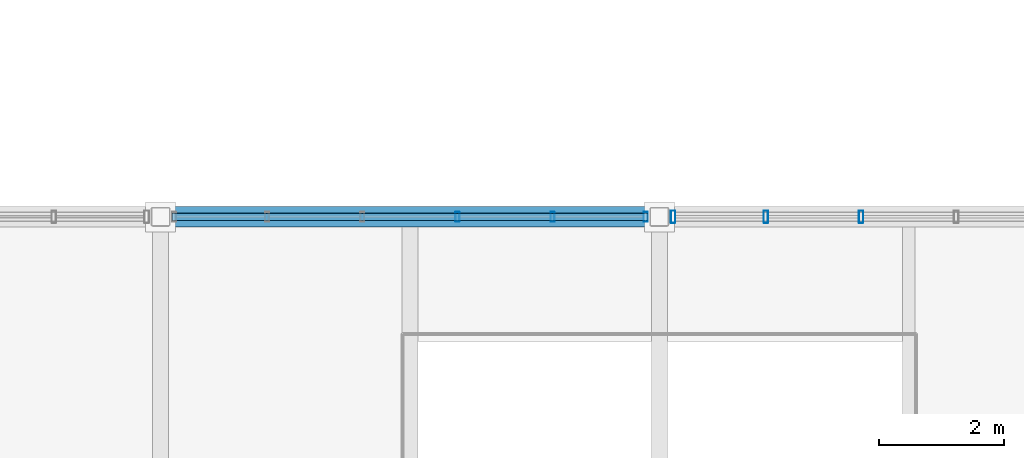
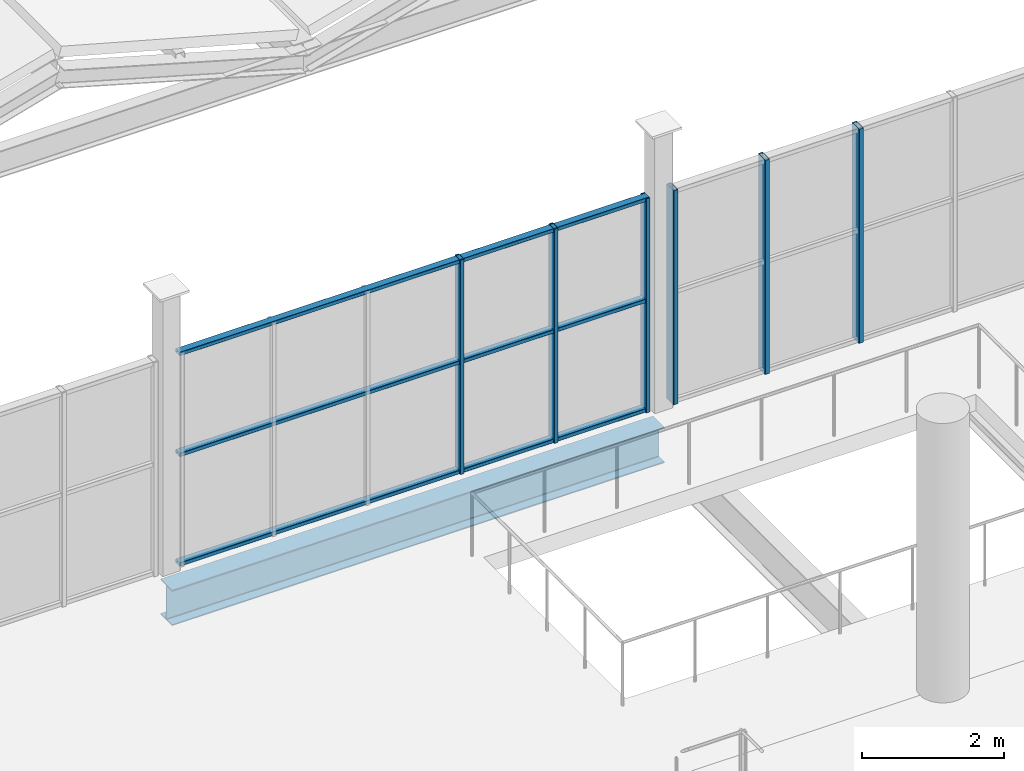
# One storey, part 39 of 114: 9 members, 1 beam, 2 elements without a shape of their own.
"""IFC4 building model written with IfcOpenShell, lengths in metres."""

import ifcopenshell
import ifcopenshell.guid

model = None  # the IFC model being written
_history = None  # IfcOwnerHistory: only IFC2X3 demands one
_inside = {}  # id of a spatial element -> (the spatial element, [elements in it])
_under = {}  # id of a project, library or spatial element -> (it, [spatial elements below it])
_declared = {}  # id of a project -> (the project, [libraries it declares])
_typed = {}  # id of a type object -> (the type object, [elements of that type])
_made_of = {}  # id of a material, layer set ... -> (it, [elements and type objects made of it])


def new_model(schema):
    """Start an empty IFC model of exactly this schema.

    Asked for "IFC4X3", IfcOpenShell would pick the latest addendum, in which some entities
    have other attributes; the version numbers below select the first issue.
    IFC2X3 requires an IfcOwnerHistory on every rooted entity: one is made here for all.
    """
    global model, _history
    if schema == "IFC4X3":
        model = ifcopenshell.file(schema_version=(4, 3, 0, 0))
    else:
        model = ifcopenshell.file(schema=schema)
    _inside.clear()
    _under.clear()
    _declared.clear()
    _typed.clear()
    _made_of.clear()
    _history = None
    if model.schema == "IFC2X3":
        org = make("IfcOrganization", Name="unknown")
        user = make(
            "IfcPersonAndOrganization",
            ThePerson=make("IfcPerson", FamilyName="unknown"),
            TheOrganization=org,
        )
        app = make(
            "IfcApplication",
            ApplicationDeveloper=org,
            Version="unknown",
            ApplicationFullName="unknown",
            ApplicationIdentifier="unknown",
        )
        _history = make(
            "IfcOwnerHistory",
            OwningUser=user,
            OwningApplication=app,
            ChangeAction="ADDED",
            CreationDate=0,
        )
    return model


def make(cls, **values):
    """One entity of the class cls with the attributes given. An attribute that is None is left unset."""
    return model.create_entity(
        cls, **{name: value for name, value in values.items() if value is not None}
    )


def rooted(cls, **values):
    """An entity with a GlobalId (a new one), such as an element, a storey or a relation."""
    return make(cls, GlobalId=ifcopenshell.guid.new(), OwnerHistory=_history, **values)


def si_unit(unit_type, name, prefix=None):
    """IfcSIUnit, for example si_unit("LENGTHUNIT", "METRE", prefix="MILLI")."""
    return make("IfcSIUnit", UnitType=unit_type, Prefix=prefix, Name=name)


def assignment(units):
    """IfcUnitAssignment: the units of a project."""
    return None if units is None else make("IfcUnitAssignment", Units=units)


def point(xyz):
    """IfcCartesianPoint."""
    return None if xyz is None else make("IfcCartesianPoint", Coordinates=xyz)


def direction(xyz):
    """IfcDirection."""
    return None if xyz is None else make("IfcDirection", DirectionRatios=xyz)


def frame(location, z_axis=None, x_axis=None):
    """IfcAxis2Placement3D, a coordinate frame: its origin and axes. An axis left out is left unset."""
    return make(
        "IfcAxis2Placement3D",
        Location=point(location),
        Axis=direction(z_axis),
        RefDirection=direction(x_axis),
    )


def frame_2d(location, x_axis=None):
    """IfcAxis2Placement2D, a coordinate frame in the plane: its origin and x axis."""
    return make(
        "IfcAxis2Placement2D", Location=point(location), RefDirection=direction(x_axis)
    )


def origin():
    """The frame at (0, 0, 0) with its axes left unset."""
    return frame((0.0, 0.0, 0.0))


def origin_2d():
    """The frame at (0, 0) in the plane with its x axis left unset."""
    return frame_2d((0.0, 0.0))


def place(relative_to, where):
    """IfcLocalPlacement: puts the frame where relative to a parent placement (None: the world)."""
    return make(
        "IfcLocalPlacement", PlacementRelTo=relative_to, RelativePlacement=where
    )


def context(
    kind, dimensions, precision=None, world=None, true_north=None, identifier=None
):
    """IfcGeometricRepresentationContext, for example the 3D "Model" context."""
    return make(
        "IfcGeometricRepresentationContext",
        ContextIdentifier=identifier,
        ContextType=kind,
        CoordinateSpaceDimension=dimensions,
        Precision=precision,
        WorldCoordinateSystem=world,
        TrueNorth=true_north,
    )


def subcontext(parent, identifier, kind, view, scale=None):
    """IfcGeometricRepresentationSubContext, for example "Body" below "Model"."""
    return make(
        "IfcGeometricRepresentationSubContext",
        ContextIdentifier=identifier,
        ContextType=kind,
        ParentContext=parent,
        TargetScale=scale,
        TargetView=view,
    )


def project(units=None, contexts=None):
    """IfcProject with its units and contexts."""
    return rooted(
        "IfcProject",
        Name="project",
        RepresentationContexts=contexts,
        UnitsInContext=assignment(units),
    )


def spatial(cls, under=None, at=None, **own):
    """A site, building, storey or space (cls), placed at a placement, below another one or the project."""
    s = rooted(cls, ObjectPlacement=at, **own)
    if under is not None:
        _under.setdefault(under.id(), (under, []))[1].append(s)
    return s


def profile(cls, at=None, kind="AREA", **sizes):
    """A parametric profile (cls). Its sizes go by their IFC names, for example OverallWidth=200.0."""
    return make(cls, ProfileType=kind, Position=at, **sizes)


def hollow_rectangle(**sizes):
    """IfcRectangleHollowProfileDef."""
    return profile("IfcRectangleHollowProfileDef", **sizes)


def i_section(**sizes):
    """IfcIShapeProfileDef."""
    return profile("IfcIShapeProfileDef", **sizes)


def extrude(swept, where, along, depth):
    """IfcExtrudedAreaSolid: the profile swept, set in the frame where, extruded along a direction by depth."""
    return make(
        "IfcExtrudedAreaSolid",
        SweptArea=swept,
        Position=where,
        ExtrudedDirection=direction(along),
        Depth=depth,
    )


def shape(context_of_items, identifier, shape_type, items):
    """IfcShapeRepresentation: the items that make up one representation, for example the "Body"."""
    return make(
        "IfcShapeRepresentation",
        ContextOfItems=context_of_items,
        RepresentationIdentifier=identifier,
        RepresentationType=shape_type,
        Items=items,
    )


def material(Name=None, Category=None):
    """IfcMaterial."""
    return make("IfcMaterial", Name=Name, Category=Category)


def material_profile(
    of_material, cross_section, Name=None, Category=None, Priority=None
):
    """IfcMaterialProfile: a cross section and its material."""
    return make(
        "IfcMaterialProfile",
        Name=Name,
        Material=of_material,
        Profile=cross_section,
        Priority=Priority,
        Category=Category,
    )


def profile_set(profiles, Name=None, composite=None):
    """IfcMaterialProfileSet."""
    return make(
        "IfcMaterialProfileSet",
        Name=Name,
        MaterialProfiles=profiles,
        CompositeProfile=composite,
    )


def made_of(thing, what):
    """Note that an element or type object is made of a material, layer set ...; save() writes the relation."""
    if what is not None:
        _made_of.setdefault(what.id(), (what, []))[1].append(thing)
    return thing


def type_object(cls, material=None, **own):
    """A type object (cls), such as IfcWallType, which elements share."""
    return made_of(rooted(cls, **own), material)


def element(
    cls,
    number,
    at=None,
    inside=None,
    cuts=None,
    type_object=None,
    material=None,
    context=None,
    identifier="Body",
    shape_type=None,
    held_by="IfcProductDefinitionShape",
    body=None,
    shapes=None,
    **own,
):
    """One element of the class cls, such as IfcWall. Its Tag is "e" and its number.

    at: its placement. inside: the storey or other place that contains it. cuts: it is an
    opening in that element (IfcRelVoidsElement). A single representation is given by context,
    identifier, shape_type and body (its items); several are given by shapes. held_by: the class
    of the entity that holds the representations. save() writes the other relations.
    """
    e = rooted(cls, Tag="e%d" % number, ObjectPlacement=at, **own)
    if body is not None:
        shapes = [shape(context, identifier, shape_type, body)]
    if shapes is not None:
        e.Representation = make(held_by, Representations=shapes)
    if inside is not None:
        _inside.setdefault(inside.id(), (inside, []))[1].append(e)
    if cuts is not None:
        rooted(
            "IfcRelVoidsElement", RelatingBuildingElement=cuts, RelatedOpeningElement=e
        )
    if type_object is not None:
        _typed.setdefault(type_object.id(), (type_object, []))[1].append(e)
    return made_of(e, material)


def aggregate(whole, parts):
    """IfcRelAggregates: a whole, such as a stair, and the parts it consists of."""
    return rooted("IfcRelAggregates", RelatingObject=whole, RelatedObjects=parts)


def save(model, path):
    """Write the relations noted so far, then the file.

    IfcRelAggregates (storeys below a building ...), IfcRelContainedInSpatialStructure (elements
    in a storey), IfcRelDefinesByType, IfcRelAssociatesMaterial and IfcRelDeclares: one each for
    every whole, place, type object, material and project.
    """
    for whole, parts in _under.values():
        aggregate(whole, parts)
    for where, things in _inside.values():
        rooted(
            "IfcRelContainedInSpatialStructure",
            RelatedElements=things,
            RelatingStructure=where,
        )
    for kind, things in _typed.values():
        rooted("IfcRelDefinesByType", RelatedObjects=things, RelatingType=kind)
    for what, things in _made_of.values():
        rooted("IfcRelAssociatesMaterial", RelatedObjects=things, RelatingMaterial=what)
    for by, libraries in _declared.values():
        rooted("IfcRelDeclares", RelatingContext=by, RelatedDefinitions=libraries)
    model.write(path)


model = new_model("IFC4")

# Units and contexts
model_context = context("Model", 3, precision=1e-05, world=origin(), true_north=direction((0.0, 1.0)))
body_context = subcontext(model_context, "Body", "Model", "MODEL_VIEW")
ifc_project = project(units=[si_unit("LENGTHUNIT", "METRE"), si_unit("AREAUNIT", "SQUARE_METRE"), si_unit("VOLUMEUNIT", "CUBIC_METRE"), si_unit("PLANEANGLEUNIT", "RADIAN"), si_unit("MASSUNIT", "GRAM", prefix="KILO")], contexts=[model_context])

# Site, building, storey
site_placement = place(None, origin())
site = spatial("IfcSite", under=ifc_project, at=site_placement, CompositionType="ELEMENT")
building_placement = place(site_placement, origin())
building = spatial("IfcBuilding", under=site, at=building_placement, Name="Verrall Gate Interchange", CompositionType="ELEMENT")
storey_placement = place(building_placement, frame((0.0, 0.0, 6.60009765625)))
storey = spatial("IfcBuildingStorey", under=building, at=storey_placement, Name="L02", CompositionType="ELEMENT", Elevation=6.60009765625)

# Beam
ifc_material_1 = material(Name="Structural Steel CSA G40.21 350WT Cat 4", Category="steel")
ifc_material_profile_1 = material_profile(ifc_material_1, i_section(OverallWidth=0.323974609375, OverallDepth=0.611083984375, WebThickness=0.0126953125, FlangeThickness=0.01904296875, FilletRadius=0.014892578125, at=origin_2d()), Name="W610x155")
ifc_profile_set_1 = profile_set([ifc_material_profile_1], Name="Structural Steel CSA G40.21 350WT Cat 4")
beam_type = type_object("IfcBeamType", Name="B-08 Structural Beam W610x155", PredefinedType="BEAM", material=ifc_profile_set_1)
beam_placement = place(storey_placement, frame((68.0, 56.0, -0.585693359375), z_axis=(1.0, 0.0, 0.0), x_axis=(0.0, 1.0, 0.0)))
element("IfcBeam", 1, at=beam_placement, inside=storey, type_object=beam_type, Name="L02 Girder BM-L02-1596 (B-08)", PredefinedType="BEAM", context=body_context, shape_type="SweptSolid", body=[
    extrude(i_section(OverallWidth=0.323974609375, OverallDepth=0.611083984375, WebThickness=0.0126953125, FlangeThickness=0.01904296875, FilletRadius=0.014892578125, at=origin_2d()), origin(), (0.0, 0.0, 1.0), 8.0),
])

# Curtain wall, members
ifc_material_2 = material(Name="Thermally Broken Anodized Aluminium Curtain Wall Framing", Category="aluminium")
curtain_wall_type = type_object("IfcCurtainWallType", Name="CW-21 Unitized Curtain Wall 7631x3680", PredefinedType="NOTDEFINED", material=ifc_material_2)
curtain_wall_1_placement = place(storey_placement, origin())
curtain_wall_1 = element("IfcCurtainWall", 2, at=curtain_wall_1_placement, inside=storey, type_object=curtain_wall_type, Name="L02 Unitized Curtain Wall CW-L02-080", PredefinedType="NOTDEFINED")
ifc_material_3 = material(Name="Thermally Broken Anodized Aluminium Curtain Wall Framing", Category="aluminium")
ifc_material_profile_2 = material_profile(ifc_material_3, hollow_rectangle(XDim=0.06494140625, YDim=0.159912109375, WallThickness=0.00390625, InnerFilletRadius=0.00390625, OuterFilletRadius=0.008056640625, at=origin_2d()), Name="CWM160x65x4")
ifc_profile_set_2 = profile_set([ifc_material_profile_2], Name="Thermally Broken Anodized Aluminium Curtain Wall Framing")
member_type_1 = type_object("IfcMemberType", Name="CM-01 Curtain Mullion CWM160x65x4", PredefinedType="MULLION", material=ifc_profile_set_2)
member_1_placement = place(storey_placement, frame((75.782958984375, 56.0, 0.0), z_axis=(0.0, 0.0, 1.0), x_axis=(-1.0, 0.0, 0.0)))
member_1 = element("IfcMember", 3, at=member_1_placement, type_object=member_type_1, Name="CW-L02-080 Mullion 1", PredefinedType="MULLION", context=body_context, shape_type="SweptSolid", body=[
    extrude(hollow_rectangle(XDim=0.06494140625, YDim=0.159912109375, WallThickness=0.00390625, InnerFilletRadius=0.00390625, OuterFilletRadius=0.008056640625, at=origin_2d()), origin(), (0.0, 0.0, 1.0), 3.679931640625),
])
member_2_placement = place(storey_placement, frame((74.289306640625, 56.0, 0.0), z_axis=(0.0, 0.0, 1.0), x_axis=(-1.0, 0.0, 0.0)))
member_2 = element("IfcMember", 4, at=member_2_placement, type_object=member_type_1, Name="CW-L02-080 Mullion 2", PredefinedType="MULLION", context=body_context, shape_type="SweptSolid", body=[
    extrude(hollow_rectangle(XDim=0.06494140625, YDim=0.159912109375, WallThickness=0.00390625, InnerFilletRadius=0.00390625, OuterFilletRadius=0.008056640625, at=origin_2d()), origin(), (0.0, 0.0, 1.0), 3.679931640625),
])
member_3_placement = place(storey_placement, frame((72.76318359375, 56.0, 0.0), z_axis=(0.0, 0.0, 1.0), x_axis=(-1.0, 0.0, 0.0)))
member_3 = element("IfcMember", 5, at=member_3_placement, type_object=member_type_1, Name="CW-L02-080 Mullion 3", PredefinedType="MULLION", context=body_context, shape_type="SweptSolid", body=[
    extrude(hollow_rectangle(XDim=0.06494140625, YDim=0.159912109375, WallThickness=0.00390625, InnerFilletRadius=0.00390625, OuterFilletRadius=0.008056640625, at=origin_2d()), origin(), (0.0, 0.0, 1.0), 3.679931640625),
])

curtain_wall_2_placement = place(storey_placement, origin())
curtain_wall_2 = element("IfcCurtainWall", 6, at=curtain_wall_2_placement, inside=storey, type_object=curtain_wall_type, Name="L02 Unitized Curtain Wall CW-L02-079", PredefinedType="NOTDEFINED")
ifc_material_4 = material(Name="Thermally Broken Anodized Aluminium Curtain Wall Framing", Category="aluminium")
ifc_material_profile_3 = material_profile(ifc_material_4, hollow_rectangle(XDim=0.074951171875, YDim=0.199951171875, WallThickness=0.0048828125, InnerFilletRadius=0.0048828125, OuterFilletRadius=0.010009765625, at=origin_2d()), Name="CWM200x75x5")
ifc_profile_set_3 = profile_set([ifc_material_profile_3], Name="Thermally Broken Anodized Aluminium Curtain Wall Framing")
member_type_2 = type_object("IfcMemberType", Name="CM-02 Curtain Mullion CWM200x75x5", PredefinedType="MULLION", material=ifc_profile_set_3)
member_4_placement = place(storey_placement, frame((79.23681640625, 56.0, 0.0), z_axis=(0.0, 0.0, 1.0), x_axis=(-1.0, 0.0, 0.0)))
member_4 = element("IfcMember", 7, at=member_4_placement, type_object=member_type_2, Name="CW-L02-079 Mullion 4", PredefinedType="MULLION", context=body_context, shape_type="SweptSolid", body=[
    extrude(hollow_rectangle(XDim=0.074951171875, YDim=0.199951171875, WallThickness=0.0048828125, InnerFilletRadius=0.0048828125, OuterFilletRadius=0.010009765625, at=origin_2d()), origin(), (0.0, 0.0, 1.0), 3.679931640625),
])
member_5_placement = place(storey_placement, frame((77.710693359375, 56.0, 0.0), z_axis=(0.0, 0.0, 1.0), x_axis=(-1.0, 0.0, 0.0)))
member_5 = element("IfcMember", 8, at=member_5_placement, type_object=member_type_2, Name="CW-L02-079 Mullion 5", PredefinedType="MULLION", context=body_context, shape_type="SweptSolid", body=[
    extrude(hollow_rectangle(XDim=0.074951171875, YDim=0.199951171875, WallThickness=0.0048828125, InnerFilletRadius=0.0048828125, OuterFilletRadius=0.010009765625, at=origin_2d()), origin(), (0.0, 0.0, 1.0), 3.679931640625),
])
member_6_placement = place(storey_placement, frame((76.221923828125, 56.0, 0.0), z_axis=(0.0, 0.0, 1.0), x_axis=(-1.0, 0.0, 0.0)))
member_6 = element("IfcMember", 9, at=member_6_placement, type_object=member_type_2, Name="CW-L02-079 Mullion 6", PredefinedType="MULLION", context=body_context, shape_type="SweptSolid", body=[
    extrude(hollow_rectangle(XDim=0.074951171875, YDim=0.199951171875, WallThickness=0.0048828125, InnerFilletRadius=0.0048828125, OuterFilletRadius=0.010009765625, at=origin_2d()), origin(), (0.0, 0.0, 1.0), 3.679931640625),
])
aggregate(curtain_wall_2, [member_4, member_5, member_6])

# Member
ifc_material_5 = material(Name="Thermally Broken Anodized Aluminium Curtain Wall Framing", Category="aluminium")
ifc_material_profile_4 = material_profile(ifc_material_5, hollow_rectangle(XDim=0.1201171875, YDim=0.06494140625, WallThickness=0.00390625, InnerFilletRadius=0.00390625, OuterFilletRadius=0.008056640625, at=origin_2d()), Name="CWT120x65x4")
ifc_profile_set_4 = profile_set([ifc_material_profile_4], Name="Thermally Broken Anodized Aluminium Curtain Wall Framing")
member_type_3 = type_object("IfcMemberType", Name="CT-01 Curtain Transom CWT120x65x4", PredefinedType="USERDEFINED", material=ifc_profile_set_4)
member_7_placement = place(storey_placement, frame((75.8154296875, 56.0, 0.032470703125), z_axis=(-1.0, 0.0, 0.0), x_axis=(0.0, -1.0, 0.0)))
member_7 = element("IfcMember", 10, at=member_7_placement, type_object=member_type_3, Name="CW-L02-080 Transom 1", ObjectType="TRANSOM", PredefinedType="USERDEFINED", context=body_context, shape_type="SweptSolid", body=[
    extrude(hollow_rectangle(XDim=0.1201171875, YDim=0.06494140625, WallThickness=0.00390625, InnerFilletRadius=0.00390625, OuterFilletRadius=0.008056640625, at=origin_2d()), origin(), (0.0, 0.0, 1.0), 7.630859375),
])

member_8_placement = place(storey_placement, frame((75.8154296875, 56.0, 1.91357421875), z_axis=(-1.0, 0.0, 0.0), x_axis=(0.0, -1.0, 0.0)))
member_8 = element("IfcMember", 11, at=member_8_placement, type_object=member_type_3, Name="CW-L02-080 Transom 2", ObjectType="TRANSOM", PredefinedType="USERDEFINED", context=body_context, shape_type="SweptSolid", body=[
    extrude(hollow_rectangle(XDim=0.1201171875, YDim=0.06494140625, WallThickness=0.00390625, InnerFilletRadius=0.00390625, OuterFilletRadius=0.008056640625, at=origin_2d()), origin(), (0.0, 0.0, 1.0), 7.630859375),
])

member_9_placement = place(storey_placement, frame((75.8154296875, 56.0, 3.6474609375), z_axis=(-1.0, 0.0, 0.0), x_axis=(0.0, -1.0, 0.0)))
member_9 = element("IfcMember", 12, at=member_9_placement, type_object=member_type_3, Name="CW-L02-080 Transom 3", ObjectType="TRANSOM", PredefinedType="USERDEFINED", context=body_context, shape_type="SweptSolid", body=[
    extrude(hollow_rectangle(XDim=0.1201171875, YDim=0.06494140625, WallThickness=0.00390625, InnerFilletRadius=0.00390625, OuterFilletRadius=0.008056640625, at=origin_2d()), origin(), (0.0, 0.0, 1.0), 7.630859375),
])

aggregate(curtain_wall_1, [member_1, member_2, member_3, member_7, member_8, member_9])

save(model, "model.ifc")
